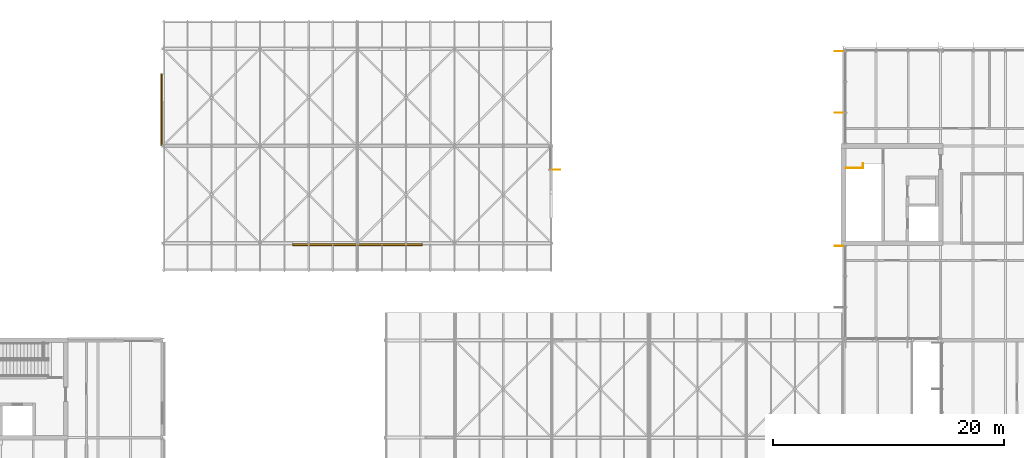
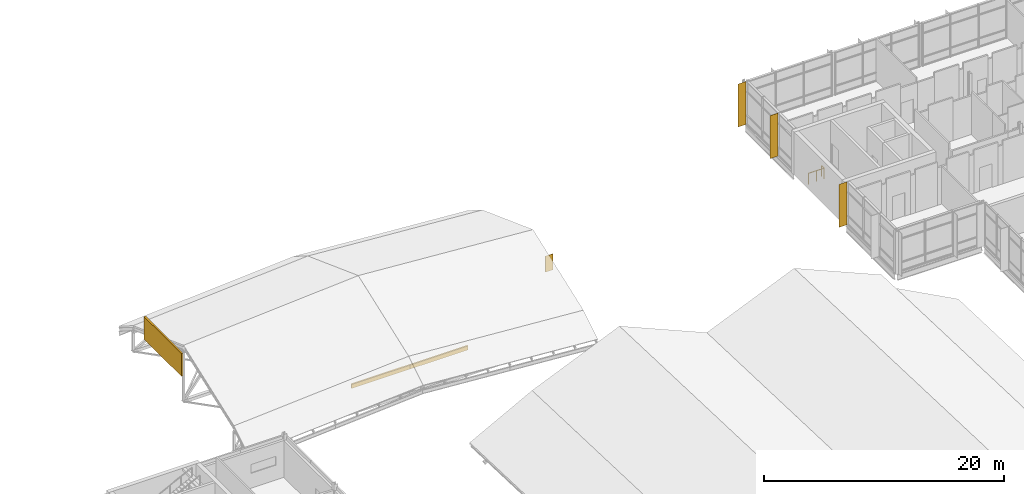
# One storey, part 74 of 76: 7 shading devices, 1 railing.
"""IFC4 building model written with IfcOpenShell, lengths in metres."""

from ifc_helpers import new_model, si_unit, direction, frame, origin, origin_2d, place, context, subcontext, project, spatial, rectangle, circle, extrude, material, layer, layer_set, type_object, element, save


model = new_model("IFC4")

# Units and contexts
model_context = context("Model", 3, precision=1e-05, world=origin(), true_north=direction((0.0, 1.0)))
body_context = subcontext(model_context, "Body", "Model", "MODEL_VIEW")
ifc_project = project(units=[si_unit("LENGTHUNIT", "METRE"), si_unit("AREAUNIT", "SQUARE_METRE"), si_unit("VOLUMEUNIT", "CUBIC_METRE"), si_unit("PLANEANGLEUNIT", "RADIAN"), si_unit("MASSUNIT", "GRAM", prefix="KILO")], contexts=[model_context])

# Site, building, storey
site_placement = place(None, origin())
site = spatial("IfcSite", under=ifc_project, at=site_placement, CompositionType="ELEMENT")
building_placement = place(site_placement, origin())
building = spatial("IfcBuilding", under=site, at=building_placement, Name="Hlaing Beacon Police Headquarters", CompositionType="ELEMENT")
storey_placement = place(building_placement, frame((0.0, 0.0, 18.89990234375)))
storey = spatial("IfcBuildingStorey", under=building, at=storey_placement, Name="L04", CompositionType="ELEMENT", Elevation=18.89990234375)

# Shading devices
ifc_material_1 = material(Name="Aluminium 6063-T5 anodised", Category="aluminium")
ifc_layer_1 = layer(ifc_material_1, 0.01611328125)
ifc_layer_set_1 = layer_set([ifc_layer_1], Name="Aluminium 6063-T5 anodised")
shading_device_type_1 = type_object("IfcShadingDeviceType", Name="Aluminium fin 16x750", PredefinedType="JALOUSIE", material=ifc_layer_set_1)
shading_device_1_placement = place(storey_placement, frame((67.574951171875, 81.952880859375, 0.000244140625), z_axis=(0.0, 0.0, 1.0), x_axis=(0.0, 1.0, 0.0)))
element("IfcShadingDevice", 1, at=shading_device_1_placement, inside=storey, type_object=shading_device_type_1, Name="Fin L04 E003.0", PredefinedType="JALOUSIE", context=body_context, shape_type="SweptSolid", body=[
    extrude(rectangle(XDim=0.01611328125, YDim=0.75, at=origin_2d()), origin(), (0.0, 0.0, 1.0), 1.63330078125),
])
for number, where, z_axis, x_axis, name in (
    (2, (92.02490234375, 92.18359375, 0.0), (0.0, 0.0, 1.0), (0.0, -1.0, 0.0), "Fin L04 W016.0"),
    (3, (92.02490234375, 86.87451171875, 0.0), (0.0, 0.0, 1.0), (0.0, -1.0, 0.0), "Fin L04 W016.2"),
    (4, (92.02490234375, 75.360107421875, 0.0), (0.0, 0.0, 1.0), (0.0, -1.0, 0.0), "Fin L04 W017.0"),
):
    element("IfcShadingDevice", number, at=place(storey_placement, frame(where, z_axis=z_axis, x_axis=x_axis)), inside=storey, type_object=shading_device_type_1, Name=name, PredefinedType="JALOUSIE", context=body_context, shape_type="SweptSolid", body=[
        extrude(rectangle(XDim=0.01611328125, YDim=0.75, at=origin_2d()), origin(), (0.0, 0.0, 1.0), 4.3701171875),
    ])
ifc_material_2 = material(Name="Perforated aluminium", Category="aluminium")
ifc_layer_2 = layer(ifc_material_2, 0.14990234375)
ifc_layer_set_2 = layer_set([ifc_layer_2], Name="Perforated aluminium")
shading_device_type_2 = type_object("IfcShadingDeviceType", Name="Perforated screen panel 150", PredefinedType="JALOUSIE", material=ifc_layer_set_2)
shading_device_2_placement = place(storey_placement, frame((33.47509765625, 87.11572265625, 0.0), z_axis=(0.0, 0.0, 1.0), x_axis=(0.0, -1.0, 0.0)))
element("IfcShadingDevice", 5, at=shading_device_2_placement, inside=storey, type_object=shading_device_type_2, Name="Screen L04 W001", PredefinedType="JALOUSIE", context=body_context, shape_type="SweptSolid", body=[
    extrude(rectangle(XDim=6.2314453125, YDim=0.14990234375, at=origin_2d()), origin(), (0.0, 0.0, 1.0), 2.300048828125),
])
for number, where, z_axis, x_axis, name in (
    (6, (47.60009765625, 75.47509765625, 0.000244140625), (0.0, 0.0, 1.0), (1.0, 0.0, 0.0), "Screen L04 S002"),
    (7, (53.199951171875, 75.47509765625, 0.000244140625), (0.0, 0.0, 1.0), (1.0, 0.0, 0.0), "Screen L04 S003"),
):
    element("IfcShadingDevice", number, at=place(storey_placement, frame(where, z_axis=z_axis, x_axis=x_axis)), inside=storey, type_object=shading_device_type_2, Name=name, PredefinedType="JALOUSIE", context=body_context, shape_type="SweptSolid", body=[
        extrude(rectangle(XDim=5.60009765625, YDim=0.14990234375, at=origin_2d()), origin(), (0.0, 0.0, 1.0), 0.39990234375),
    ])

# Railing
ifc_material_3 = material(Name="Stainless steel", Category="steel")
railing_type = type_object("IfcRailingType", Name="Stair guard 1100", PredefinedType="GUARDRAIL", material=ifc_material_3)
railing_placement = place(storey_placement, frame((92.60009765625, 82.10009765625, 0.0)))
element("IfcRailing", 8, at=railing_placement, inside=storey, type_object=railing_type, Name="Guard ST-Q", PredefinedType="GUARDRAIL", context=body_context, shape_type="SweptSolid", body=[
    extrude(circle(Radius=0.02392578125, at=origin_2d()), frame((0.0, 0.0, 1.076171875), z_axis=(1.0, 0.0, 0.0), x_axis=(0.0, 1.0, 0.0)), (0.0, 0.0, 1.0), 1.5),
    extrude(circle(Radius=0.02392578125, at=origin_2d()), frame((1.5, 0.0, 1.076171875), z_axis=(0.0, 1.0, 0.0), x_axis=(-1.0, 0.0, 0.0)), (0.0, 0.0, 1.0), 0.39990234375),
    extrude(circle(Radius=0.02099609375, at=origin_2d()), origin(), (0.0, 0.0, 1.0), 1.052001953125),
    extrude(circle(Radius=0.02099609375, at=origin_2d()), frame((0.75, 0.0, 0.0)), (0.0, 0.0, 1.0), 1.052001953125),
    extrude(circle(Radius=0.02099609375, at=origin_2d()), frame((1.5, 0.0, 0.0)), (0.0, 0.0, 1.0), 1.052001953125),
    extrude(circle(Radius=0.02099609375, at=origin_2d()), frame((1.5, 0.39990234375, 0.0)), (0.0, 0.0, 1.0), 1.052001953125),
])

save(model, "model.ifc")
